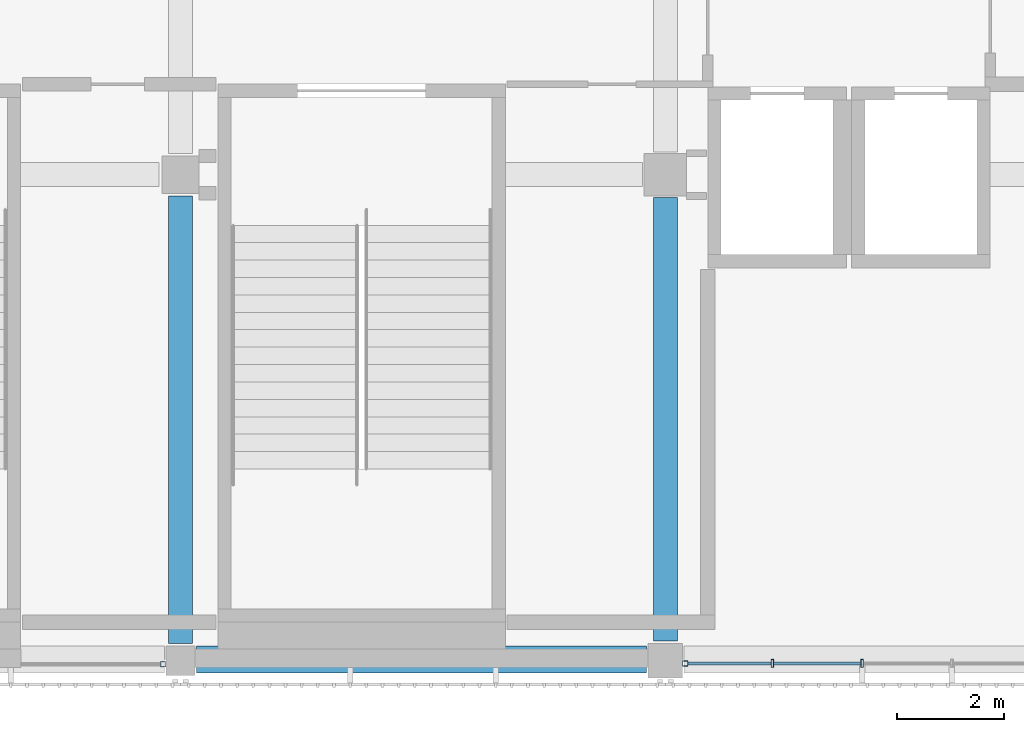
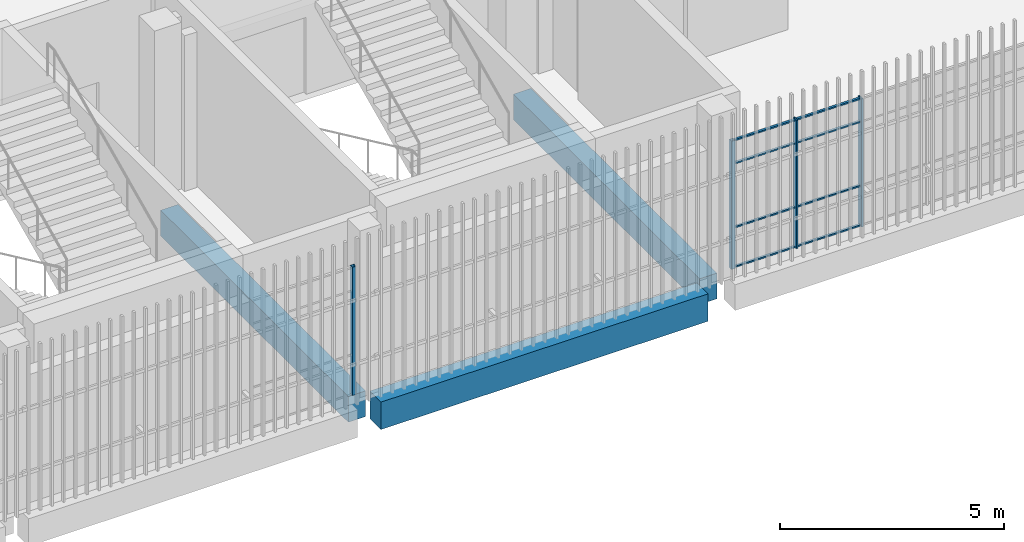
# One storey, part 4 of 126: 12 members, 3 beams, 2 elements without a shape of their own.
"""IFC4 building model written with IfcOpenShell, lengths in metres."""

from ifc_helpers import new_model, si_unit, direction, frame, origin, origin_2d, place, context, subcontext, project, spatial, rectangle, hollow_rectangle, extrude, material, layer, layer_set, material_profile, profile_set, type_object, element, aggregate, save


model = new_model("IFC4")

# Units and contexts
model_context = context("Model", 3, precision=1e-05, world=origin(), true_north=direction((0.0, 1.0)))
body_context = subcontext(model_context, "Body", "Model", "MODEL_VIEW")
ifc_project = project(units=[si_unit("LENGTHUNIT", "METRE"), si_unit("AREAUNIT", "SQUARE_METRE"), si_unit("VOLUMEUNIT", "CUBIC_METRE"), si_unit("PLANEANGLEUNIT", "RADIAN"), si_unit("MASSUNIT", "GRAM", prefix="KILO")], contexts=[model_context])

# Site, building, storey
site_placement = place(None, origin())
site = spatial("IfcSite", under=ifc_project, at=site_placement, CompositionType="ELEMENT")
building_placement = place(site_placement, origin())
building = spatial("IfcBuilding", under=site, at=building_placement, Name="Shirokan Park Arena", CompositionType="ELEMENT")
storey_placement = place(building_placement, frame((0.0, 0.0, 6.3701171875)))
storey = spatial("IfcBuildingStorey", under=building, at=storey_placement, Name="L01", CompositionType="ELEMENT", Elevation=6.3701171875)

# Curtain wall, member
ifc_material_1 = material(Name="Steel and glass curtain wall", Category="steel")
ifc_layer_1 = layer(ifc_material_1, 0.1201171875)
ifc_layer_set_1 = layer_set([ifc_layer_1], Name="Steel and glass curtain wall 120 mm")
curtain_wall_type_1 = type_object("IfcCurtainWallType", Name="Curtain wall corner block side bay 120", PredefinedType="NOTDEFINED", material=ifc_layer_set_1)
curtain_wall_1_placement = place(storey_placement, origin())
curtain_wall_1 = element("IfcCurtainWall", 1, at=curtain_wall_1_placement, inside=storey, type_object=curtain_wall_type_1, Name="Curtain wall south bay 2 L01", PredefinedType="NOTDEFINED")
ifc_material_2 = material(Name="Steel S355", Category="steel")
ifc_material_profile_1 = material_profile(ifc_material_2, hollow_rectangle(XDim=0.10009765625, YDim=0.10009765625, WallThickness=0.006103515625, at=origin_2d()), Name="RHS 100x100x6")
ifc_profile_set_1 = profile_set([ifc_material_profile_1], Name="Steel S355")
member_type_1 = type_object("IfcMemberType", Name="Mullion RHS 100x100x6", PredefinedType="MULLION", material=ifc_profile_set_1)
member_1_placement = place(storey_placement, frame((17.875, -0.090087890625, 0.0), z_axis=(0.0, 0.0, 1.0), x_axis=(0.0, 1.0, 0.0)))
member_1 = element("IfcMember", 2, at=member_1_placement, type_object=member_type_1, Name="CW3 mullion 2", PredefinedType="MULLION", context=body_context, shape_type="SweptSolid", body=[
    extrude(hollow_rectangle(XDim=0.10009765625, YDim=0.10009765625, WallThickness=0.006103515625, at=origin_2d()), origin(), (0.0, 0.0, 1.0), 3.5),
])
aggregate(curtain_wall_1, [member_1])

# Curtain wall, members
ifc_layer_2 = layer(ifc_material_1, 0.14990234375)
ifc_layer_set_2 = layer_set([ifc_layer_2], Name="Steel and glass curtain wall 150 mm")
curtain_wall_type_2 = type_object("IfcCurtainWallType", Name="Curtain wall exposed bay 150", PredefinedType="NOTDEFINED", material=ifc_layer_set_2)
curtain_wall_2_placement = place(storey_placement, origin())
curtain_wall_2 = element("IfcCurtainWall", 3, at=curtain_wall_2_placement, inside=storey, type_object=curtain_wall_type_2, Name="Curtain wall south bay 4 L01", PredefinedType="NOTDEFINED")
member_2_placement = place(storey_placement, frame((27.675048828125, -0.074951171875, 0.0), z_axis=(0.0, 0.0, 1.0), x_axis=(0.0, 1.0, 0.0)))
member_2 = element("IfcMember", 4, at=member_2_placement, type_object=member_type_1, Name="CW1 mullion 1", PredefinedType="MULLION", context=body_context, shape_type="SweptSolid", body=[
    extrude(hollow_rectangle(XDim=0.10009765625, YDim=0.10009765625, WallThickness=0.006103515625, at=origin_2d()), origin(), (0.0, 0.0, 1.0), 3.5),
])
ifc_material_profile_2 = material_profile(ifc_material_2, hollow_rectangle(XDim=0.14990234375, YDim=0.050048828125, WallThickness=0.006103515625, at=origin_2d()), Name="RHS 150x50x6")
ifc_profile_set_2 = profile_set([ifc_material_profile_2], Name="Steel S355")
member_type_2 = type_object("IfcMemberType", Name="Mullion RHS 150x50x6", PredefinedType="MULLION", material=ifc_profile_set_2)
member_3_placement = place(storey_placement, frame((29.31005859375, -0.074951171875, 0.0), z_axis=(0.0, 0.0, 1.0), x_axis=(0.0, 1.0, 0.0)))
member_3 = element("IfcMember", 5, at=member_3_placement, type_object=member_type_2, Name="CW1 mullion 2", PredefinedType="MULLION", context=body_context, shape_type="SweptSolid", body=[
    extrude(hollow_rectangle(XDim=0.14990234375, YDim=0.050048828125, WallThickness=0.006103515625, at=origin_2d()), origin(), (0.0, 0.0, 1.0), 3.5),
])
member_4_placement = place(storey_placement, frame((30.9951171875, -0.074951171875, 0.0), z_axis=(0.0, 0.0, 1.0), x_axis=(0.0, 1.0, 0.0)))
member_4 = element("IfcMember", 6, at=member_4_placement, type_object=member_type_2, Name="CW1 mullion 3", PredefinedType="MULLION", context=body_context, shape_type="SweptSolid", body=[
    extrude(hollow_rectangle(XDim=0.14990234375, YDim=0.050048828125, WallThickness=0.006103515625, at=origin_2d()), origin(), (0.0, 0.0, 1.0), 3.5),
])

# Beams
ifc_material_3 = material(Name="Concrete C35", Category="concrete")
ifc_material_profile_3 = material_profile(ifc_material_3, rectangle(XDim=0.449951171875, YDim=0.699951171875, at=origin_2d()), Name="450x700")
ifc_profile_set_3 = profile_set([ifc_material_profile_3], Name="Concrete C35")
beam_type_1 = type_object("IfcBeamType", Name="RC girder 450x700", PredefinedType="BEAM", material=ifc_profile_set_3)
beam_1_placement = place(storey_placement, frame((18.199951171875, 0.300048828125, -0.7001953125), z_axis=(0.0, 1.0, 0.0), x_axis=(-1.0, 0.0, 0.0)))
element("IfcBeam", 7, at=beam_1_placement, inside=storey, type_object=beam_type_1, Name="Girder 3A-3B L01", PredefinedType="BEAM", context=body_context, shape_type="SweptSolid", body=[
    extrude(rectangle(XDim=0.449951171875, YDim=0.699951171875, at=origin_2d()), origin(), (0.0, 0.0, 1.0), 8.39990234375),
])
beam_2_placement = place(storey_placement, frame((27.300048828125, 0.35009765625, -0.7001953125), z_axis=(0.0, 1.0, 0.0), x_axis=(-1.0, 0.0, 0.0)))
element("IfcBeam", 8, at=beam_2_placement, inside=storey, type_object=beam_type_1, Name="Girder 4A-4B L01", PredefinedType="BEAM", context=body_context, shape_type="SweptSolid", body=[
    extrude(rectangle(XDim=0.449951171875, YDim=0.699951171875, at=origin_2d()), origin(), (0.0, 0.0, 1.0), 8.32470703125),
])
ifc_material_profile_4 = material_profile(ifc_material_3, rectangle(XDim=0.5, YDim=0.75, at=origin_2d()), Name="500x750")
ifc_profile_set_4 = profile_set([ifc_material_profile_4], Name="Concrete C35")
beam_type_2 = type_object("IfcBeamType", Name="RC girder 500x750", PredefinedType="BEAM", material=ifc_profile_set_4)
beam_3_placement = place(storey_placement, frame((18.5, 0.0, -0.72509765625), z_axis=(1.0, 0.0, 0.0), x_axis=(0.0, 1.0, 0.0)))
element("IfcBeam", 9, at=beam_3_placement, inside=storey, type_object=beam_type_2, Name="Girder 3A-4A L01", PredefinedType="BEAM", context=body_context, shape_type="SweptSolid", body=[
    extrude(rectangle(XDim=0.5, YDim=0.75, at=origin_2d()), origin(), (0.0, 0.0, 1.0), 8.449951171875),
])

# Member
ifc_material_profile_5 = material_profile(ifc_material_2, hollow_rectangle(XDim=0.06005859375, YDim=0.0400390625, WallThickness=0.00390625, at=origin_2d()), Name="RHS 60x40x4")
ifc_profile_set_5 = profile_set([ifc_material_profile_5], Name="Steel S355")
member_type_3 = type_object("IfcMemberType", Name="Transom RHS 60x40x4", PredefinedType="MULLION", material=ifc_profile_set_5)
member_5_placement = place(storey_placement, frame((27.72509765625, -0.074951171875, 0.019775390625), z_axis=(1.0, 0.0, 0.0), x_axis=(0.0, 1.0, 0.0)))
member_5 = element("IfcMember", 10, at=member_5_placement, type_object=member_type_3, Name="CW1 transom 1.1", PredefinedType="MULLION", context=body_context, shape_type="SweptSolid", body=[
    extrude(hollow_rectangle(XDim=0.06005859375, YDim=0.0400390625, WallThickness=0.00390625, at=origin_2d()), origin(), (0.0, 0.0, 1.0), 1.559814453125),
])

member_6_placement = place(storey_placement, frame((27.72509765625, -0.074951171875, 1.099853515625), z_axis=(1.0, 0.0, 0.0), x_axis=(0.0, 1.0, 0.0)))
member_6 = element("IfcMember", 11, at=member_6_placement, type_object=member_type_3, Name="CW1 transom 1.2", PredefinedType="MULLION", context=body_context, shape_type="SweptSolid", body=[
    extrude(hollow_rectangle(XDim=0.06005859375, YDim=0.0400390625, WallThickness=0.00390625, at=origin_2d()), origin(), (0.0, 0.0, 1.0), 1.559814453125),
])

member_7_placement = place(storey_placement, frame((27.72509765625, -0.074951171875, 2.849853515625), z_axis=(1.0, 0.0, 0.0), x_axis=(0.0, 1.0, 0.0)))
member_7 = element("IfcMember", 12, at=member_7_placement, type_object=member_type_3, Name="CW1 transom 1.3", PredefinedType="MULLION", context=body_context, shape_type="SweptSolid", body=[
    extrude(hollow_rectangle(XDim=0.06005859375, YDim=0.0400390625, WallThickness=0.00390625, at=origin_2d()), origin(), (0.0, 0.0, 1.0), 1.559814453125),
])

member_8_placement = place(storey_placement, frame((27.72509765625, -0.074951171875, 3.47998046875), z_axis=(1.0, 0.0, 0.0), x_axis=(0.0, 1.0, 0.0)))
member_8 = element("IfcMember", 13, at=member_8_placement, type_object=member_type_3, Name="CW1 transom 1.4", PredefinedType="MULLION", context=body_context, shape_type="SweptSolid", body=[
    extrude(hollow_rectangle(XDim=0.06005859375, YDim=0.0400390625, WallThickness=0.00390625, at=origin_2d()), origin(), (0.0, 0.0, 1.0), 1.559814453125),
])

member_9_placement = place(storey_placement, frame((29.3349609375, -0.074951171875, 0.019775390625), z_axis=(1.0, 0.0, 0.0), x_axis=(0.0, 1.0, 0.0)))
member_9 = element("IfcMember", 14, at=member_9_placement, type_object=member_type_3, Name="CW1 transom 2.1", PredefinedType="MULLION", context=body_context, shape_type="SweptSolid", body=[
    extrude(hollow_rectangle(XDim=0.06005859375, YDim=0.0400390625, WallThickness=0.00390625, at=origin_2d()), origin(), (0.0, 0.0, 1.0), 1.635009765625),
])

member_10_placement = place(storey_placement, frame((29.3349609375, -0.074951171875, 1.099853515625), z_axis=(1.0, 0.0, 0.0), x_axis=(0.0, 1.0, 0.0)))
member_10 = element("IfcMember", 15, at=member_10_placement, type_object=member_type_3, Name="CW1 transom 2.2", PredefinedType="MULLION", context=body_context, shape_type="SweptSolid", body=[
    extrude(hollow_rectangle(XDim=0.06005859375, YDim=0.0400390625, WallThickness=0.00390625, at=origin_2d()), origin(), (0.0, 0.0, 1.0), 1.635009765625),
])

member_11_placement = place(storey_placement, frame((29.3349609375, -0.074951171875, 2.849853515625), z_axis=(1.0, 0.0, 0.0), x_axis=(0.0, 1.0, 0.0)))
member_11 = element("IfcMember", 16, at=member_11_placement, type_object=member_type_3, Name="CW1 transom 2.3", PredefinedType="MULLION", context=body_context, shape_type="SweptSolid", body=[
    extrude(hollow_rectangle(XDim=0.06005859375, YDim=0.0400390625, WallThickness=0.00390625, at=origin_2d()), origin(), (0.0, 0.0, 1.0), 1.635009765625),
])

member_12_placement = place(storey_placement, frame((29.3349609375, -0.074951171875, 3.47998046875), z_axis=(1.0, 0.0, 0.0), x_axis=(0.0, 1.0, 0.0)))
member_12 = element("IfcMember", 17, at=member_12_placement, type_object=member_type_3, Name="CW1 transom 2.4", PredefinedType="MULLION", context=body_context, shape_type="SweptSolid", body=[
    extrude(hollow_rectangle(XDim=0.06005859375, YDim=0.0400390625, WallThickness=0.00390625, at=origin_2d()), origin(), (0.0, 0.0, 1.0), 1.635009765625),
])

aggregate(curtain_wall_2, [member_2, member_3, member_4, member_5, member_6, member_7, member_8, member_9, member_10, member_11, member_12])

save(model, "model.ifc")
